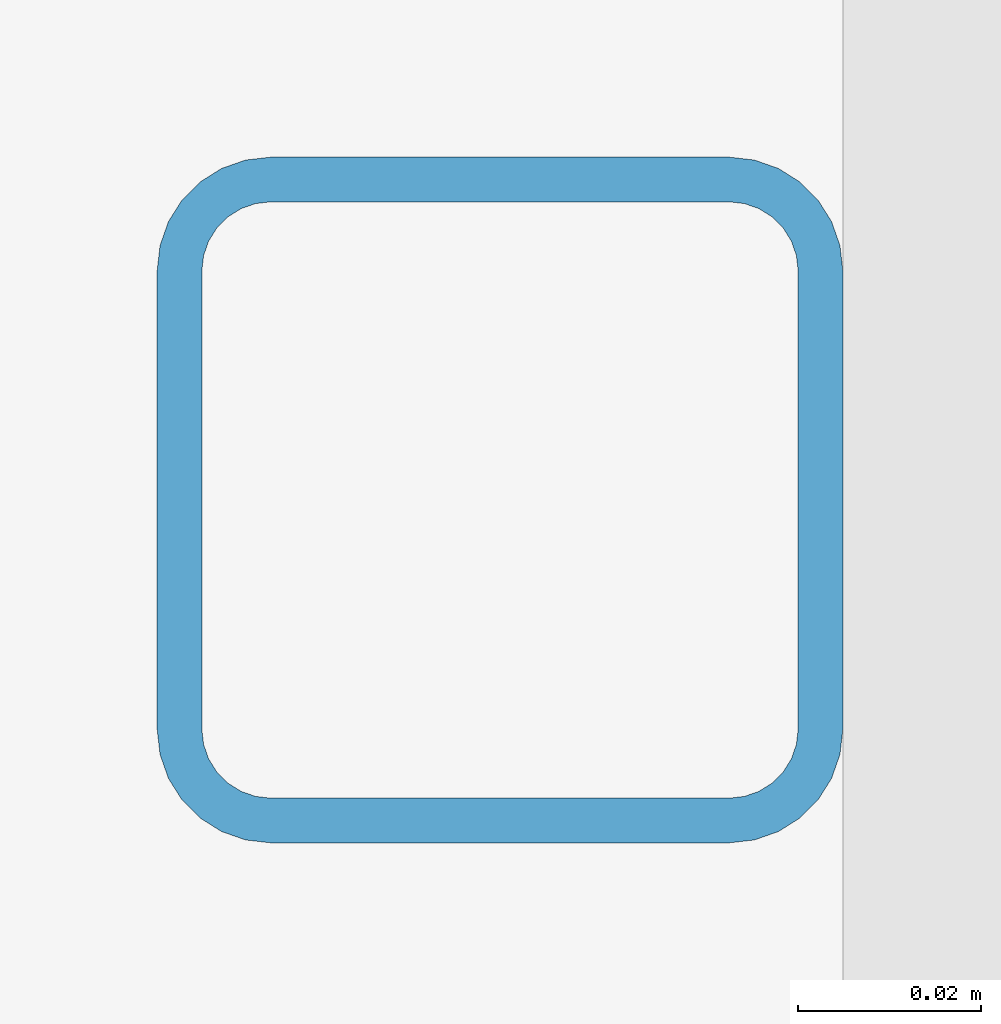
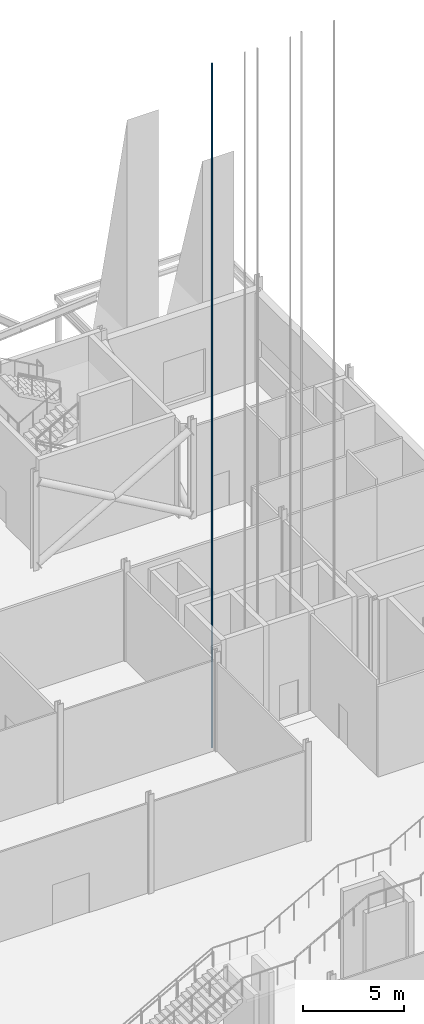
# One storey, part 62 of 139: 1 member.
"""IFC4 building model written with IfcOpenShell, lengths in metres."""

from ifc_helpers import new_model, si_unit, direction, frame, origin, origin_2d, place, context, subcontext, project, spatial, hollow_rectangle, extrude, material, material_profile, profile_set, type_object, element, save


model = new_model("IFC4")

# Units and contexts
model_context = context("Model", 3, precision=1e-05, world=origin(), true_north=direction((0.0, 1.0)))
body_context = subcontext(model_context, "Body", "Model", "MODEL_VIEW")
ifc_project = project(units=[si_unit("LENGTHUNIT", "METRE"), si_unit("AREAUNIT", "SQUARE_METRE"), si_unit("VOLUMEUNIT", "CUBIC_METRE"), si_unit("PLANEANGLEUNIT", "RADIAN"), si_unit("MASSUNIT", "GRAM", prefix="KILO")], contexts=[model_context])

# Site, building, storey
site_placement = place(None, origin())
site = spatial("IfcSite", under=ifc_project, at=site_placement, CompositionType="ELEMENT")
building_placement = place(site_placement, origin())
building = spatial("IfcBuilding", under=site, at=building_placement, Name="Shorebreak Coast Museum", CompositionType="ELEMENT")
storey_placement = place(building_placement, origin())
storey = spatial("IfcBuildingStorey", under=building, at=storey_placement, Name="L00", CompositionType="ELEMENT", Elevation=0.0)

# Member
ifc_material = material(Name="Steel Grade C450L0", Category="steel")
ifc_material_profile = material_profile(ifc_material, hollow_rectangle(XDim=0.074951171875, YDim=0.074951171875, WallThickness=0.0048828125, InnerFilletRadius=0.007568359375, OuterFilletRadius=0.012451171875, at=origin_2d()), Name="75x75x5.0 SHS")
ifc_profile_set = profile_set([ifc_material_profile], Name="Steel Grade C450L0")
member_type = type_object("IfcMemberType", Name="Lift guide rail 75x75x5.0 SHS", PredefinedType="POST", material=ifc_profile_set)
member_placement = place(storey_placement, frame((99.96240234375, 92.10009765625, -1.5), z_axis=(0.0, 0.0, 1.0), x_axis=(1.0, 0.0, 0.0)))
element("IfcMember", 1, at=member_placement, inside=storey, type_object=member_type, Name="Lift P3 guide rail", PredefinedType="POST", context=body_context, shape_type="SweptSolid", body=[
    extrude(hollow_rectangle(XDim=0.074951171875, YDim=0.074951171875, WallThickness=0.0048828125, InnerFilletRadius=0.007568359375, OuterFilletRadius=0.012451171875, at=origin_2d()), origin(), (0.0, 0.0, 1.0), 41.39990234375),
])

save(model, "model.ifc")
